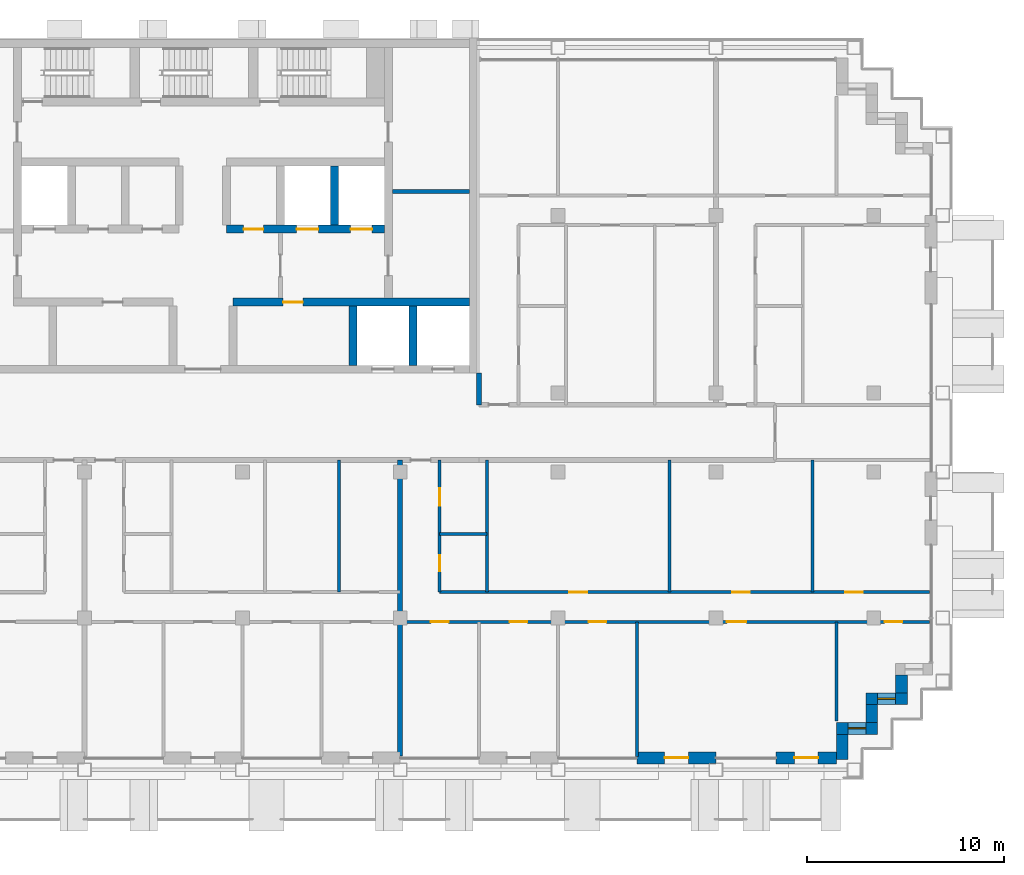
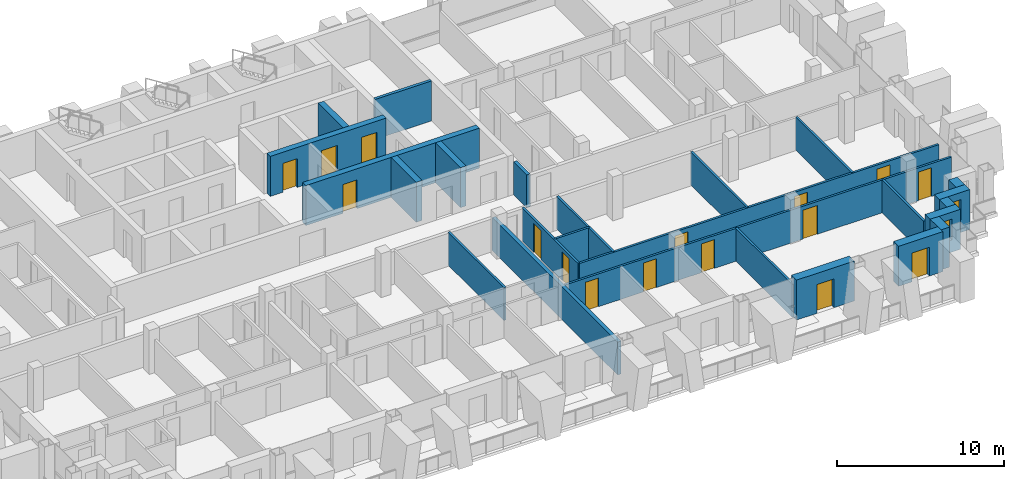
# One storey, part 10 of 16: 25 walls, 16 doors, 2 windows, 18 openings.
"""IFC4 building model written with IfcOpenShell, lengths in metres."""

import ifcopenshell
import ifcopenshell.guid

model = None  # the IFC model being written
_history = None  # IfcOwnerHistory: only IFC2X3 demands one
_inside = {}  # id of a spatial element -> (the spatial element, [elements in it])
_under = {}  # id of a project, library or spatial element -> (it, [spatial elements below it])
_declared = {}  # id of a project -> (the project, [libraries it declares])
_typed = {}  # id of a type object -> (the type object, [elements of that type])
_made_of = {}  # id of a material, layer set ... -> (it, [elements and type objects made of it])


def new_model(schema):
    """Start an empty IFC model of exactly this schema.

    Asked for "IFC4X3", IfcOpenShell would pick the latest addendum, in which some entities
    have other attributes; the version numbers below select the first issue.
    IFC2X3 requires an IfcOwnerHistory on every rooted entity: one is made here for all.
    """
    global model, _history
    if schema == "IFC4X3":
        model = ifcopenshell.file(schema_version=(4, 3, 0, 0))
    else:
        model = ifcopenshell.file(schema=schema)
    _inside.clear()
    _under.clear()
    _declared.clear()
    _typed.clear()
    _made_of.clear()
    _history = None
    if model.schema == "IFC2X3":
        org = make("IfcOrganization", Name="unknown")
        user = make(
            "IfcPersonAndOrganization",
            ThePerson=make("IfcPerson", FamilyName="unknown"),
            TheOrganization=org,
        )
        app = make(
            "IfcApplication",
            ApplicationDeveloper=org,
            Version="unknown",
            ApplicationFullName="unknown",
            ApplicationIdentifier="unknown",
        )
        _history = make(
            "IfcOwnerHistory",
            OwningUser=user,
            OwningApplication=app,
            ChangeAction="ADDED",
            CreationDate=0,
        )
    return model


def make(cls, **values):
    """One entity of the class cls with the attributes given. An attribute that is None is left unset."""
    return model.create_entity(
        cls, **{name: value for name, value in values.items() if value is not None}
    )


def rooted(cls, **values):
    """An entity with a GlobalId (a new one), such as an element, a storey or a relation."""
    return make(cls, GlobalId=ifcopenshell.guid.new(), OwnerHistory=_history, **values)


def si_unit(unit_type, name, prefix=None):
    """IfcSIUnit, for example si_unit("LENGTHUNIT", "METRE", prefix="MILLI")."""
    return make("IfcSIUnit", UnitType=unit_type, Prefix=prefix, Name=name)


def assignment(units):
    """IfcUnitAssignment: the units of a project."""
    return None if units is None else make("IfcUnitAssignment", Units=units)


def point(xyz):
    """IfcCartesianPoint."""
    return None if xyz is None else make("IfcCartesianPoint", Coordinates=xyz)


def direction(xyz):
    """IfcDirection."""
    return None if xyz is None else make("IfcDirection", DirectionRatios=xyz)


def frame(location, z_axis=None, x_axis=None):
    """IfcAxis2Placement3D, a coordinate frame: its origin and axes. An axis left out is left unset."""
    return make(
        "IfcAxis2Placement3D",
        Location=point(location),
        Axis=direction(z_axis),
        RefDirection=direction(x_axis),
    )


def frame_2d(location, x_axis=None):
    """IfcAxis2Placement2D, a coordinate frame in the plane: its origin and x axis."""
    return make(
        "IfcAxis2Placement2D", Location=point(location), RefDirection=direction(x_axis)
    )


def origin():
    """The frame at (0, 0, 0) with its axes left unset."""
    return frame((0.0, 0.0, 0.0))


def place(relative_to, where):
    """IfcLocalPlacement: puts the frame where relative to a parent placement (None: the world)."""
    return make(
        "IfcLocalPlacement", PlacementRelTo=relative_to, RelativePlacement=where
    )


def context(
    kind, dimensions, precision=None, world=None, true_north=None, identifier=None
):
    """IfcGeometricRepresentationContext, for example the 3D "Model" context."""
    return make(
        "IfcGeometricRepresentationContext",
        ContextIdentifier=identifier,
        ContextType=kind,
        CoordinateSpaceDimension=dimensions,
        Precision=precision,
        WorldCoordinateSystem=world,
        TrueNorth=true_north,
    )


def subcontext(parent, identifier, kind, view, scale=None):
    """IfcGeometricRepresentationSubContext, for example "Body" below "Model"."""
    return make(
        "IfcGeometricRepresentationSubContext",
        ContextIdentifier=identifier,
        ContextType=kind,
        ParentContext=parent,
        TargetScale=scale,
        TargetView=view,
    )


def project(units=None, contexts=None):
    """IfcProject with its units and contexts."""
    return rooted(
        "IfcProject",
        Name="project",
        RepresentationContexts=contexts,
        UnitsInContext=assignment(units),
    )


def spatial(cls, under=None, at=None, **own):
    """A site, building, storey or space (cls), placed at a placement, below another one or the project."""
    s = rooted(cls, ObjectPlacement=at, **own)
    if under is not None:
        _under.setdefault(under.id(), (under, []))[1].append(s)
    return s


def profile(cls, at=None, kind="AREA", **sizes):
    """A parametric profile (cls). Its sizes go by their IFC names, for example OverallWidth=200.0."""
    return make(cls, ProfileType=kind, Position=at, **sizes)


def rectangle(**sizes):
    """IfcRectangleProfileDef."""
    return profile("IfcRectangleProfileDef", **sizes)


def extrude(swept, where, along, depth):
    """IfcExtrudedAreaSolid: the profile swept, set in the frame where, extruded along a direction by depth."""
    return make(
        "IfcExtrudedAreaSolid",
        SweptArea=swept,
        Position=where,
        ExtrudedDirection=direction(along),
        Depth=depth,
    )


def shape(context_of_items, identifier, shape_type, items):
    """IfcShapeRepresentation: the items that make up one representation, for example the "Body"."""
    return make(
        "IfcShapeRepresentation",
        ContextOfItems=context_of_items,
        RepresentationIdentifier=identifier,
        RepresentationType=shape_type,
        Items=items,
    )


def material(Name=None, Category=None):
    """IfcMaterial."""
    return make("IfcMaterial", Name=Name, Category=Category)


def layer(
    of_material, thickness, ventilated=None, Name=None, Category=None, Priority=None
):
    """IfcMaterialLayer: one layer of a wall or slab, of a material (None: an air gap)."""
    return make(
        "IfcMaterialLayer",
        Material=of_material,
        LayerThickness=thickness,
        IsVentilated=ventilated,
        Name=Name,
        Category=Category,
        Priority=Priority,
    )


def layer_set(layers, Name=None):
    """IfcMaterialLayerSet."""
    return make("IfcMaterialLayerSet", MaterialLayers=layers, LayerSetName=Name)


def made_of(thing, what):
    """Note that an element or type object is made of a material, layer set ...; save() writes the relation."""
    if what is not None:
        _made_of.setdefault(what.id(), (what, []))[1].append(thing)
    return thing


def type_object(cls, material=None, **own):
    """A type object (cls), such as IfcWallType, which elements share."""
    return made_of(rooted(cls, **own), material)


def element(
    cls,
    number,
    at=None,
    inside=None,
    cuts=None,
    type_object=None,
    material=None,
    context=None,
    identifier="Body",
    shape_type=None,
    held_by="IfcProductDefinitionShape",
    body=None,
    shapes=None,
    **own,
):
    """One element of the class cls, such as IfcWall. Its Tag is "e" and its number.

    at: its placement. inside: the storey or other place that contains it. cuts: it is an
    opening in that element (IfcRelVoidsElement). A single representation is given by context,
    identifier, shape_type and body (its items); several are given by shapes. held_by: the class
    of the entity that holds the representations. save() writes the other relations.
    """
    e = rooted(cls, Tag="e%d" % number, ObjectPlacement=at, **own)
    if body is not None:
        shapes = [shape(context, identifier, shape_type, body)]
    if shapes is not None:
        e.Representation = make(held_by, Representations=shapes)
    if inside is not None:
        _inside.setdefault(inside.id(), (inside, []))[1].append(e)
    if cuts is not None:
        rooted(
            "IfcRelVoidsElement", RelatingBuildingElement=cuts, RelatedOpeningElement=e
        )
    if type_object is not None:
        _typed.setdefault(type_object.id(), (type_object, []))[1].append(e)
    return made_of(e, material)


def fill(opening, filler):
    """IfcRelFillsElement: the door or window that sits in an opening."""
    return rooted(
        "IfcRelFillsElement",
        RelatingOpeningElement=opening,
        RelatedBuildingElement=filler,
    )


def aggregate(whole, parts):
    """IfcRelAggregates: a whole, such as a stair, and the parts it consists of."""
    return rooted("IfcRelAggregates", RelatingObject=whole, RelatedObjects=parts)


def save(model, path):
    """Write the relations noted so far, then the file.

    IfcRelAggregates (storeys below a building ...), IfcRelContainedInSpatialStructure (elements
    in a storey), IfcRelDefinesByType, IfcRelAssociatesMaterial and IfcRelDeclares: one each for
    every whole, place, type object, material and project.
    """
    for whole, parts in _under.values():
        aggregate(whole, parts)
    for where, things in _inside.values():
        rooted(
            "IfcRelContainedInSpatialStructure",
            RelatedElements=things,
            RelatingStructure=where,
        )
    for kind, things in _typed.values():
        rooted("IfcRelDefinesByType", RelatedObjects=things, RelatingType=kind)
    for what, things in _made_of.values():
        rooted("IfcRelAssociatesMaterial", RelatedObjects=things, RelatingMaterial=what)
    for by, libraries in _declared.values():
        rooted("IfcRelDeclares", RelatingContext=by, RelatedDefinitions=libraries)
    model.write(path)


model = new_model("IFC4")

# Units and contexts
model_context = context("Model", 3, precision=1e-05, world=origin(), true_north=direction((0.0, 1.0)))
body_context = subcontext(model_context, "Body", "Model", "MODEL_VIEW")
ifc_project = project(units=[si_unit("LENGTHUNIT", "METRE"), si_unit("AREAUNIT", "SQUARE_METRE"), si_unit("VOLUMEUNIT", "CUBIC_METRE"), si_unit("PLANEANGLEUNIT", "RADIAN"), si_unit("MASSUNIT", "GRAM", prefix="KILO")], contexts=[model_context])

# Site, building, storey
site_placement = place(None, origin())
site = spatial("IfcSite", under=ifc_project, at=site_placement, CompositionType="ELEMENT")
building_placement = place(site_placement, origin())
building = spatial("IfcBuilding", under=site, at=building_placement, Name="Vidyagriha Tower", CompositionType="ELEMENT")
storey_placement = place(building_placement, frame((0.0, 0.0, 165.300048828125)))
storey = spatial("IfcBuildingStorey", under=building, at=storey_placement, Name="L42", CompositionType="ELEMENT", Elevation=165.300048828125)

# Wall, opening, door
ifc_material_1 = material(Name="Precast concrete C40/50 with brick facing", Category="concrete")
ifc_layer_1 = layer(ifc_material_1, 0.60009765625)
ifc_layer_set_1 = layer_set([ifc_layer_1], Name="Precast concrete C40/50 with brick facing")
wall_type_1 = type_object("IfcWallType", Name="Brick-faced precast wall 600", PredefinedType="STANDARD", material=ifc_layer_set_1)
wall_1_placement = place(storey_placement, frame((22.0, -16.5, 0.0)))
wall_1 = element("IfcWall", 1, at=wall_1_placement, inside=storey, type_object=wall_type_1, Name="Brick door bay wall L42 R23.12", PredefinedType="STANDARD", context=body_context, shape_type="SweptSolid", body=[
    extrude(rectangle(XDim=4.0, YDim=0.60009765625, at=frame_2d((2.0, 0.0))), origin(), (0.0, 0.0, 1.0), 2.919921875),
])
opening_1_placement = place(wall_1_placement, frame((1.39990234375, 0.0, 0.0)))
opening_1 = element("IfcOpeningElement", 2, at=opening_1_placement, cuts=wall_1, Name="Opening D42-73", PredefinedType="OPENING", context=body_context, shape_type="SweptSolid", body=[
    extrude(rectangle(XDim=1.199951171875, YDim=2.10009765625, at=frame_2d((0.60009765625, 1.050048828125))), frame((0.0, 0.31005859375, 0.0), z_axis=(0.0, -1.0, 0.0), x_axis=(1.0, 0.0, 0.0)), (0.0, 0.0, 1.0), 0.6201171875),
])
ifc_material_2 = material(Name="Aluminium framed glazed sliding door", Category="aluminium")
door_type_1 = type_object("IfcDoorType", Name="Balcony sliding door 1200x2100", OperationType="NOTDEFINED", PredefinedType="DOOR", material=ifc_material_2)
door_1_placement = place(opening_1_placement, origin())
door_1 = element("IfcDoor", 3, at=door_1_placement, inside=storey, type_object=door_type_1, Name="Door D42-73", OperationType="SLIDING_TO_LEFT", OverallHeight=2.10009765625, OverallWidth=1.199951171875, PredefinedType="DOOR", context=body_context, shape_type="SweptSolid", body=[
    extrude(rectangle(XDim=1.199951171875, YDim=2.10009765625, at=frame_2d((0.60009765625, 1.050048828125))), frame((0.0, 0.02490234375, 0.0), z_axis=(0.0, -1.0, 0.0), x_axis=(1.0, 0.0, 0.0)), (0.0, 0.0, 1.0), 0.050048828125),
])
fill(opening_1, door_1)

wall_2_placement = place(storey_placement, frame((29.050048828125, -16.5, 0.0)))
wall_2 = element("IfcWall", 4, at=wall_2_placement, inside=storey, type_object=wall_type_1, Name="Brick door bay wall L42 R23.14", PredefinedType="STANDARD", context=body_context, shape_type="SweptSolid", body=[
    extrude(rectangle(XDim=3.050048828125, YDim=0.60009765625, at=frame_2d((1.52490234375, 0.0))), origin(), (0.0, 0.0, 1.0), 2.919921875),
])
opening_2_placement = place(wall_2_placement, frame((0.925048828125, 0.0, 0.0)))
opening_2 = element("IfcOpeningElement", 5, at=opening_2_placement, cuts=wall_2, Name="Opening D42-74", PredefinedType="OPENING", context=body_context, shape_type="SweptSolid", body=[
    extrude(rectangle(XDim=1.199951171875, YDim=2.10009765625, at=frame_2d((0.60009765625, 1.050048828125))), frame((0.0, 0.31005859375, 0.0), z_axis=(0.0, -1.0, 0.0), x_axis=(1.0, 0.0, 0.0)), (0.0, 0.0, 1.0), 0.6201171875),
])
door_2_placement = place(opening_2_placement, origin())
door_2 = element("IfcDoor", 6, at=door_2_placement, inside=storey, type_object=door_type_1, Name="Door D42-74", OperationType="SLIDING_TO_LEFT", OverallHeight=2.10009765625, OverallWidth=1.199951171875, PredefinedType="DOOR", context=body_context, shape_type="SweptSolid", body=[
    extrude(rectangle(XDim=1.199951171875, YDim=2.10009765625, at=frame_2d((0.60009765625, 1.050048828125))), frame((0.0, 0.02490234375, 0.0), z_axis=(0.0, -1.0, 0.0), x_axis=(1.0, 0.0, 0.0)), (0.0, 0.0, 1.0), 0.050048828125),
])
fill(opening_2, door_2)

# Wall
wall_3_placement = place(storey_placement, frame((32.39990234375, -16.580078125, 0.0), z_axis=(0.0, 0.0, 1.0), x_axis=(0.0, 1.0, 0.0)))
element("IfcWall", 7, at=wall_3_placement, inside=storey, type_object=wall_type_1, Name="Stepped corner wall L42 R24", PredefinedType="STANDARD", context=body_context, shape_type="SweptSolid", body=[
    extrude(rectangle(XDim=1.280029296875, YDim=0.60009765625, at=frame_2d((0.64013671875, 0.0))), origin(), (0.0, 0.0, 1.0), 2.919921875),
])

# Wall, opening, window
wall_4_placement = place(storey_placement, frame((32.10009765625, -15.0, 0.0)))
wall_4 = element("IfcWall", 8, at=wall_4_placement, inside=storey, type_object=wall_type_1, Name="Stepped corner wall L42 R25", PredefinedType="STANDARD", context=body_context, shape_type="SweptSolid", body=[
    extrude(rectangle(XDim=2.099853515625, YDim=0.60009765625, at=frame_2d((1.0498046875, 0.0))), origin(), (0.0, 0.0, 1.0), 2.919921875),
])
opening_3_placement = place(wall_4_placement, frame((0.60009765625, 0.0, 0.89990234375)))
opening_3 = element("IfcOpeningElement", 9, at=opening_3_placement, cuts=wall_4, Name="Opening WN1", PredefinedType="OPENING", context=body_context, shape_type="SweptSolid", body=[
    extrude(rectangle(XDim=0.89990234375, YDim=1.5, at=frame_2d((0.449951171875, 0.75))), frame((0.0, 0.31005859375, 0.0), z_axis=(0.0, -1.0, 0.0), x_axis=(1.0, 0.0, 0.0)), (0.0, 0.0, 1.0), 0.6201171875),
])
ifc_material_3 = material(Name="Aluminium and glass window", Category="aluminium")
window_type = type_object("IfcWindowType", Name="Reveal window 900x1500", PartitioningType="NOTDEFINED", PredefinedType="WINDOW", material=ifc_material_3)
window_1_placement = place(opening_3_placement, origin())
window_1 = element("IfcWindow", 10, at=window_1_placement, inside=storey, type_object=window_type, Name="Reveal window L42 R25", OverallHeight=1.5, OverallWidth=0.89990234375, PartitioningType="SINGLE_PANEL", PredefinedType="WINDOW", context=body_context, shape_type="SweptSolid", body=[
    extrude(rectangle(XDim=0.89990234375, YDim=1.5, at=frame_2d((0.449951171875, 0.75))), frame((0.0, 0.030029296875, 0.0), z_axis=(0.0, -1.0, 0.0), x_axis=(1.0, 0.0, 0.0)), (0.0, 0.0, 1.0), 0.06005859375),
])
fill(opening_3, window_1)

# Wall
wall_5_placement = place(storey_placement, frame((33.89990234375, -14.699951171875, 0.0), z_axis=(0.0, 0.0, 1.0), x_axis=(0.0, 1.0, 0.0)))
element("IfcWall", 11, at=wall_5_placement, inside=storey, type_object=wall_type_1, Name="Stepped corner wall L42 R26", PredefinedType="STANDARD", context=body_context, shape_type="SweptSolid", body=[
    extrude(rectangle(XDim=0.89990234375, YDim=0.60009765625, at=frame_2d((0.449951171875, 0.0))), origin(), (0.0, 0.0, 1.0), 2.919921875),
])

# Wall, opening, window
wall_6_placement = place(storey_placement, frame((33.60009765625, -13.5, 0.0)))
wall_6 = element("IfcWall", 12, at=wall_6_placement, inside=storey, type_object=wall_type_1, Name="Stepped corner wall L42 R27", PredefinedType="STANDARD", context=body_context, shape_type="SweptSolid", body=[
    extrude(rectangle(XDim=2.099853515625, YDim=0.60009765625, at=frame_2d((1.0498046875, 0.0))), origin(), (0.0, 0.0, 1.0), 2.919921875),
])
opening_4_placement = place(wall_6_placement, frame((0.60009765625, 0.0, 0.89990234375)))
opening_4 = element("IfcOpeningElement", 13, at=opening_4_placement, cuts=wall_6, Name="Opening WN1", PredefinedType="OPENING", context=body_context, shape_type="SweptSolid", body=[
    extrude(rectangle(XDim=0.89990234375, YDim=1.5, at=frame_2d((0.449951171875, 0.75))), frame((0.0, 0.31005859375, 0.0), z_axis=(0.0, -1.0, 0.0), x_axis=(1.0, 0.0, 0.0)), (0.0, 0.0, 1.0), 0.6201171875),
])
window_2_placement = place(opening_4_placement, origin())
window_2 = element("IfcWindow", 14, at=window_2_placement, inside=storey, type_object=window_type, Name="Reveal window L42 R27", OverallHeight=1.5, OverallWidth=0.89990234375, PartitioningType="SINGLE_PANEL", PredefinedType="WINDOW", context=body_context, shape_type="SweptSolid", body=[
    extrude(rectangle(XDim=0.89990234375, YDim=1.5, at=frame_2d((0.449951171875, 0.75))), frame((0.0, 0.030029296875, 0.0), z_axis=(0.0, -1.0, 0.0), x_axis=(1.0, 0.0, 0.0)), (0.0, 0.0, 1.0), 0.06005859375),
])
fill(opening_4, window_2)

# Wall
wall_7_placement = place(storey_placement, frame((35.39990234375, -13.199951171875, 0.0), z_axis=(0.0, 0.0, 1.0), x_axis=(0.0, 1.0, 0.0)))
element("IfcWall", 15, at=wall_7_placement, inside=storey, type_object=wall_type_1, Name="Stepped corner wall L42 R28", PredefinedType="STANDARD", context=body_context, shape_type="SweptSolid", body=[
    extrude(rectangle(XDim=0.89990234375, YDim=0.60009765625, at=frame_2d((0.449951171875, 0.0))), origin(), (0.0, 0.0, 1.0), 2.919921875),
])

# Wall, opening, door
ifc_material_4 = material(Name="Concrete C60/75", Category="concrete")
ifc_layer_2 = layer(ifc_material_4, 0.39990234375)
ifc_layer_set_2 = layer_set([ifc_layer_2], Name="Concrete C60/75")
wall_type_2 = type_object("IfcWallType", Name="Core shear wall 400 mm", PredefinedType="SHEAR", material=ifc_layer_set_2)
wall_8_placement = place(storey_placement, frame((1.522216796875, 6.60009765625, 0.0)))
wall_8 = element("IfcWall", 16, at=wall_8_placement, inside=storey, type_object=wall_type_2, Name="Core lobby south wall east", PredefinedType="SHEAR", context=body_context, shape_type="SweptSolid", body=[
    extrude(rectangle(XDim=11.977783203125, YDim=0.39990234375, at=frame_2d((5.98876953125, 0.0))), origin(), (0.0, 0.0, 1.0), 2.919921875),
])
opening_5_placement = place(wall_8_placement, frame((2.54443359375, 0.0, 0.0)))
opening_5 = element("IfcOpeningElement", 17, at=opening_5_placement, cuts=wall_8, Name="Opening D42-03", PredefinedType="OPENING", context=body_context, shape_type="SweptSolid", body=[
    extrude(rectangle(XDim=1.0, YDim=2.10009765625, at=frame_2d((0.5, 1.050048828125))), frame((0.0, 0.2099609375, 0.0), z_axis=(0.0, -1.0, 0.0), x_axis=(1.0, 0.0, 0.0)), (0.0, 0.0, 1.0), 0.419921875),
])
ifc_material_5 = material(Name="Hollow metal door leaf")
door_type_2 = type_object("IfcDoorType", Name="Core room door 1000 x 2100 mm EI 60", OperationType="NOTDEFINED", PredefinedType="DOOR", material=ifc_material_5)
door_3_placement = place(opening_5_placement, origin())
door_3 = element("IfcDoor", 18, at=door_3_placement, inside=storey, type_object=door_type_2, Name="Door Electrical Room 42.02", OperationType="SINGLE_SWING_RIGHT", OverallHeight=2.10009765625, OverallWidth=1.0, PredefinedType="DOOR", context=body_context, shape_type="SweptSolid", body=[
    extrude(rectangle(XDim=1.0, YDim=2.10009765625, at=frame_2d((0.5, 1.050048828125))), frame((0.0, 0.02490234375, 0.0), z_axis=(0.0, -1.0, 0.0), x_axis=(1.0, 0.0, 0.0)), (0.0, 0.0, 1.0), 0.050048828125),
])
fill(opening_5, door_3)

# Walls
for number, where, z_axis, x_axis, name in (
    (19, (7.611083984375, 3.39990234375, 0.0), (0.0, 0.0, 1.0), (0.0, 1.0, 0.0), "Core bay wall S7"),
    (20, (10.655517578125, 3.39990234375, 0.0), (0.0, 0.0, 1.0), (0.0, 1.0, 0.0), "Core bay wall S8"),
):
    element("IfcWall", number, at=place(storey_placement, frame(where, z_axis=z_axis, x_axis=x_axis)), inside=storey, type_object=wall_type_2, Name=name, PredefinedType="SHEAR", context=body_context, shape_type="SweptSolid", body=[
        extrude(rectangle(XDim=3.0, YDim=0.39990234375, at=frame_2d((1.5, 0.0))), origin(), (0.0, 0.0, 1.0), 2.919921875),
    ])

# Wall, openings, doors
wall_9_placement = place(storey_placement, frame((1.199951171875, 10.300048828125, 0.0)))
wall_9 = element("IfcWall", 21, at=wall_9_placement, inside=storey, type_object=wall_type_2, Name="Core row N front wall", PredefinedType="SHEAR", context=body_context, shape_type="SweptSolid", body=[
    extrude(rectangle(XDim=8.0, YDim=0.39990234375, at=frame_2d((4.0, 0.0))), origin(), (0.0, 0.0, 1.0), 2.919921875),
])
opening_6_placement = place(wall_9_placement, frame((3.550048828125, 0.0, 0.0)))
opening_6 = element("IfcOpeningElement", 22, at=opening_6_placement, cuts=wall_9, Name="Opening LD42-04", PredefinedType="OPENING", context=body_context, shape_type="SweptSolid", body=[
    extrude(rectangle(XDim=1.10009765625, YDim=2.10009765625, at=frame_2d((0.550048828125, 1.050048828125))), frame((0.0, 0.2099609375, 0.0), z_axis=(0.0, -1.0, 0.0), x_axis=(1.0, 0.0, 0.0)), (0.0, 0.0, 1.0), 0.419921875),
])
opening_7_placement = place(wall_9_placement, frame((6.283203125, 0.0, 0.0)))
opening_7 = element("IfcOpeningElement", 23, at=opening_7_placement, cuts=wall_9, Name="Opening LD42-05", PredefinedType="OPENING", context=body_context, shape_type="SweptSolid", body=[
    extrude(rectangle(XDim=1.10009765625, YDim=2.10009765625, at=frame_2d((0.550048828125, 1.050048828125))), frame((0.0, 0.2099609375, 0.0), z_axis=(0.0, -1.0, 0.0), x_axis=(1.0, 0.0, 0.0)), (0.0, 0.0, 1.0), 0.419921875),
])
opening_8_placement = place(wall_9_placement, frame((0.86669921875, 0.0, 0.0)))
opening_8 = element("IfcOpeningElement", 24, at=opening_8_placement, cuts=wall_9, Name="Opening D42-06", PredefinedType="OPENING", context=body_context, shape_type="SweptSolid", body=[
    extrude(rectangle(XDim=1.0, YDim=2.10009765625, at=frame_2d((0.5, 1.050048828125))), frame((0.0, 0.2099609375, 0.0), z_axis=(0.0, -1.0, 0.0), x_axis=(1.0, 0.0, 0.0)), (0.0, 0.0, 1.0), 0.419921875),
])
door_4_placement = place(opening_8_placement, frame((1.0, 0.0, 0.0), z_axis=(0.0, 0.0, 1.0), x_axis=(-1.0, 0.0, 0.0)))
door_4 = element("IfcDoor", 25, at=door_4_placement, inside=storey, type_object=door_type_2, Name="Door Electrical Room 42.16", OperationType="SINGLE_SWING_LEFT", OverallHeight=2.10009765625, OverallWidth=1.0, PredefinedType="DOOR", context=body_context, shape_type="SweptSolid", body=[
    extrude(rectangle(XDim=1.0, YDim=2.10009765625, at=frame_2d((0.5, 1.050048828125))), frame((0.0, 0.02490234375, 0.0), z_axis=(0.0, -1.0, 0.0), x_axis=(1.0, 0.0, 0.0)), (0.0, 0.0, 1.0), 0.050048828125),
])
fill(opening_8, door_4)
ifc_material_6 = material(Name="Stainless steel sliding door panel", Category="steel")
door_type_3 = type_object("IfcDoorType", Name="Lift landing door 1100 x 2100 mm EI 90", OperationType="NOTDEFINED", PredefinedType="DOOR", material=ifc_material_6)
door_5_placement = place(opening_6_placement, origin())
door_5 = element("IfcDoor", 26, at=door_5_placement, inside=storey, type_object=door_type_3, Name="Landing door FF1 L42", OperationType="SLIDING_TO_LEFT", OverallHeight=2.10009765625, OverallWidth=1.10009765625, PredefinedType="DOOR", context=body_context, shape_type="SweptSolid", body=[
    extrude(rectangle(XDim=1.10009765625, YDim=2.10009765625, at=frame_2d((0.550048828125, 1.050048828125))), frame((0.0, 0.02490234375, 0.0), z_axis=(0.0, -1.0, 0.0), x_axis=(1.0, 0.0, 0.0)), (0.0, 0.0, 1.0), 0.050048828125),
])
fill(opening_6, door_5)
door_6_placement = place(opening_7_placement, origin())
door_6 = element("IfcDoor", 27, at=door_6_placement, inside=storey, type_object=door_type_3, Name="Landing door FF2 L42", OperationType="SLIDING_TO_LEFT", OverallHeight=2.10009765625, OverallWidth=1.10009765625, PredefinedType="DOOR", context=body_context, shape_type="SweptSolid", body=[
    extrude(rectangle(XDim=1.10009765625, YDim=2.10009765625, at=frame_2d((0.550048828125, 1.050048828125))), frame((0.0, 0.02490234375, 0.0), z_axis=(0.0, -1.0, 0.0), x_axis=(1.0, 0.0, 0.0)), (0.0, 0.0, 1.0), 0.050048828125),
])
fill(opening_7, door_6)

# Walls
wall_10_placement = place(storey_placement, frame((6.666748046875, 10.5, 0.0), z_axis=(0.0, 0.0, 1.0), x_axis=(0.0, 1.0, 0.0)))
element("IfcWall", 28, at=wall_10_placement, inside=storey, type_object=wall_type_2, Name="Core bay wall N6", PredefinedType="SHEAR", context=body_context, shape_type="SweptSolid", body=[
    extrude(rectangle(XDim=3.0, YDim=0.39990234375, at=frame_2d((1.5, 0.0))), origin(), (0.0, 0.0, 1.0), 2.919921875),
])
ifc_material_7 = material(Name="Fired clay brick masonry", Category="masonry")
ifc_layer_3 = layer(ifc_material_7, 0.25)
ifc_layer_set_3 = layer_set([ifc_layer_3], Name="Fired clay brick masonry")
wall_type_3 = type_object("IfcWallType", Name="Fired clay brick corridor wall 250", PredefinedType="PARTITIONING", material=ifc_layer_set_3)
wall_11_placement = place(storey_placement, frame((14.0, 1.39990234375, 0.0), z_axis=(0.0, 0.0, 1.0), x_axis=(0.0, 1.0, 0.0)))
element("IfcWall", 29, at=wall_11_placement, inside=storey, type_object=wall_type_3, Name="Wall all-L42-w115", PredefinedType="PARTITIONING", context=body_context, shape_type="SweptSolid", body=[
    extrude(rectangle(XDim=1.60009765625, YDim=0.25, at=frame_2d((0.800048828125, 0.0))), origin(), (0.0, 0.0, 1.0), 2.39990234375),
])
ifc_material_8 = material(Name="Fired clay brick masonry", Category="masonry")
ifc_layer_4 = layer(ifc_material_8, 0.25)
ifc_layer_set_4 = layer_set([ifc_layer_4], Name="Fired clay brick masonry")
wall_type_4 = type_object("IfcWallType", Name="Fired clay brick demising wall 250", PredefinedType="PARTITIONING", material=ifc_layer_set_4)
wall_12_placement = place(storey_placement, frame((10.0, -1.39990234375, 0.0), z_axis=(0.0, 0.0, 1.0), x_axis=(0.0, -1.0, 0.0)))
element("IfcWall", 30, at=wall_12_placement, inside=storey, type_object=wall_type_4, Name="Wall all-L42-w065", PredefinedType="PARTITIONING", context=body_context, shape_type="SweptSolid", body=[
    extrude(rectangle(XDim=15.010009765625, YDim=0.25, at=frame_2d((7.5048828125, 0.0))), origin(), (0.0, 0.0, 1.0), 2.39990234375),
])
ifc_material_9 = material(Name="Gypsum board partition")
ifc_layer_5 = layer(ifc_material_9, 0.14990234375)
ifc_layer_set_5 = layer_set([ifc_layer_5], Name="Gypsum board partition")
wall_type_5 = type_object("IfcWallType", Name="Gypsum board partition 150", PredefinedType="PARTITIONING", material=ifc_layer_set_5)
wall_13_placement = place(storey_placement, frame((6.89990234375, -1.39990234375, 0.0), z_axis=(0.0, 0.0, 1.0), x_axis=(0.0, -1.0, 0.0)))
element("IfcWall", 31, at=wall_13_placement, inside=storey, type_object=wall_type_5, Name="Wall all-L42-w028", PredefinedType="PARTITIONING", context=body_context, shape_type="SweptSolid", body=[
    extrude(rectangle(XDim=6.7001953125, YDim=0.14990234375, at=frame_2d((3.35009765625, 0.0))), origin(), (0.0, 0.0, 1.0), 2.39990234375),
])
wall_14_placement = place(storey_placement, frame((14.39990234375, -5.14990234375, 0.0), z_axis=(0.0, 0.0, 1.0), x_axis=(-1.0, 0.0, 0.0)))
element("IfcWall", 32, at=wall_14_placement, inside=storey, type_object=wall_type_5, Name="Wall all-L42-w046", PredefinedType="PARTITIONING", context=body_context, shape_type="SweptSolid", body=[
    extrude(rectangle(XDim=2.39990234375, YDim=0.14990234375, at=frame_2d((1.199951171875, 0.0))), origin(), (0.0, 0.0, 1.0), 2.39990234375),
])
for number, where, z_axis, x_axis, name in (
    (33, (14.39990234375, -1.39990234375, 0.0), (0.0, 0.0, 1.0), (0.0, -1.0, 0.0), "Wall all-L42-w047"),
    (34, (23.64990234375, -1.39990234375, 0.0), (0.0, 0.0, 1.0), (0.0, -1.0, 0.0), "Wall all-L42-w048"),
    (35, (30.89990234375, -1.39990234375, 0.0), (0.0, 0.0, 1.0), (0.0, -1.0, 0.0), "Wall all-L42-w049"),
):
    element("IfcWall", number, at=place(storey_placement, frame(where, z_axis=z_axis, x_axis=x_axis)), inside=storey, type_object=wall_type_5, Name=name, PredefinedType="PARTITIONING", context=body_context, shape_type="SweptSolid", body=[
        extrude(rectangle(XDim=6.7001953125, YDim=0.14990234375, at=frame_2d((3.35009765625, 0.0))), origin(), (0.0, 0.0, 1.0), 2.39990234375),
    ])

# Wall, openings, doors
wall_15_placement = place(storey_placement, frame((12.0, -8.10009765625, 0.0)))
wall_15 = element("IfcWall", 36, at=wall_15_placement, inside=storey, type_object=wall_type_5, Name="Wall all-L42-w050", PredefinedType="PARTITIONING", context=body_context, shape_type="SweptSolid", body=[
    extrude(rectangle(XDim=24.820068359375, YDim=0.14990234375, at=frame_2d((12.41015625, 0.0))), origin(), (0.0, 0.0, 1.0), 2.39990234375),
])
opening_9_placement = place(wall_15_placement, frame((6.574951171875, 0.0, 0.0)))
opening_9 = element("IfcOpeningElement", 37, at=opening_9_placement, cuts=wall_15, Name="Opening D42-37", PredefinedType="OPENING", context=body_context, shape_type="SweptSolid", body=[
    extrude(rectangle(XDim=0.89990234375, YDim=2.10009765625, at=frame_2d((0.449951171875, 1.050048828125))), frame((0.0, 0.0849609375, 0.0), z_axis=(0.0, -1.0, 0.0), x_axis=(1.0, 0.0, 0.0)), (0.0, 0.0, 1.0), 0.169921875),
])
opening_10_placement = place(wall_15_placement, frame((14.824951171875, 0.0, 0.0)))
opening_10 = element("IfcOpeningElement", 38, at=opening_10_placement, cuts=wall_15, Name="Opening D42-38", PredefinedType="OPENING", context=body_context, shape_type="SweptSolid", body=[
    extrude(rectangle(XDim=0.89990234375, YDim=2.10009765625, at=frame_2d((0.449951171875, 1.050048828125))), frame((0.0, 0.0849609375, 0.0), z_axis=(0.0, -1.0, 0.0), x_axis=(1.0, 0.0, 0.0)), (0.0, 0.0, 1.0), 0.169921875),
])
opening_11_placement = place(wall_15_placement, frame((20.552978515625, 0.0, 0.0)))
opening_11 = element("IfcOpeningElement", 39, at=opening_11_placement, cuts=wall_15, Name="Opening D42-39", PredefinedType="OPENING", context=body_context, shape_type="SweptSolid", body=[
    extrude(rectangle(XDim=0.89990234375, YDim=2.10009765625, at=frame_2d((0.449951171875, 1.050048828125))), frame((0.0, 0.0849609375, 0.0), z_axis=(0.0, -1.0, 0.0), x_axis=(1.0, 0.0, 0.0)), (0.0, 0.0, 1.0), 0.169921875),
])
ifc_material_10 = material(Name="Timber door leaf", Category="wood")
door_type_4 = type_object("IfcDoorType", Name="Room door 900x2100", OperationType="NOTDEFINED", PredefinedType="DOOR", material=ifc_material_10)
door_7_placement = place(opening_9_placement, origin())
door_7 = element("IfcDoor", 40, at=door_7_placement, inside=storey, type_object=door_type_4, Name="Door D42-37", OperationType="SINGLE_SWING_LEFT", OverallHeight=2.10009765625, OverallWidth=0.89990234375, PredefinedType="DOOR", context=body_context, shape_type="SweptSolid", body=[
    extrude(rectangle(XDim=0.89990234375, YDim=2.10009765625, at=frame_2d((0.449951171875, 1.050048828125))), frame((0.0, 0.02490234375, 0.0), z_axis=(0.0, -1.0, 0.0), x_axis=(1.0, 0.0, 0.0)), (0.0, 0.0, 1.0), 0.050048828125),
])
fill(opening_9, door_7)
door_8_placement = place(opening_10_placement, origin())
door_8 = element("IfcDoor", 41, at=door_8_placement, inside=storey, type_object=door_type_4, Name="Door D42-38", OperationType="SINGLE_SWING_RIGHT", OverallHeight=2.10009765625, OverallWidth=0.89990234375, PredefinedType="DOOR", context=body_context, shape_type="SweptSolid", body=[
    extrude(rectangle(XDim=0.89990234375, YDim=2.10009765625, at=frame_2d((0.449951171875, 1.050048828125))), frame((0.0, 0.02490234375, 0.0), z_axis=(0.0, -1.0, 0.0), x_axis=(1.0, 0.0, 0.0)), (0.0, 0.0, 1.0), 0.050048828125),
])
fill(opening_10, door_8)
door_9_placement = place(opening_11_placement, origin())
door_9 = element("IfcDoor", 42, at=door_9_placement, inside=storey, type_object=door_type_4, Name="Door D42-39", OperationType="SINGLE_SWING_LEFT", OverallHeight=2.10009765625, OverallWidth=0.89990234375, PredefinedType="DOOR", context=body_context, shape_type="SweptSolid", body=[
    extrude(rectangle(XDim=0.89990234375, YDim=2.10009765625, at=frame_2d((0.449951171875, 1.050048828125))), frame((0.0, 0.02490234375, 0.0), z_axis=(0.0, -1.0, 0.0), x_axis=(1.0, 0.0, 0.0)), (0.0, 0.0, 1.0), 0.050048828125),
])
fill(opening_11, door_9)

wall_16_placement = place(storey_placement, frame((36.820068359375, -9.60009765625, 0.0), z_axis=(0.0, 0.0, 1.0), x_axis=(-1.0, 0.0, 0.0)))
wall_16 = element("IfcWall", 43, at=wall_16_placement, inside=storey, type_object=wall_type_5, Name="Wall all-L42-w054", PredefinedType="PARTITIONING", context=body_context, shape_type="SweptSolid", body=[
    extrude(rectangle(XDim=26.820068359375, YDim=0.14990234375, at=frame_2d((13.41015625, 0.0))), origin(), (0.0, 0.0, 1.0), 2.39990234375),
])
opening_12_placement = place(wall_16_placement, frame((24.3701171875, 0.0, 0.0)))
opening_12 = element("IfcOpeningElement", 44, at=opening_12_placement, cuts=wall_16, Name="Opening D42-40", PredefinedType="OPENING", context=body_context, shape_type="SweptSolid", body=[
    extrude(rectangle(XDim=0.89990234375, YDim=2.10009765625, at=frame_2d((0.449951171875, 1.050048828125))), frame((0.0, 0.0849609375, 0.0), z_axis=(0.0, -1.0, 0.0), x_axis=(1.0, 0.0, 0.0)), (0.0, 0.0, 1.0), 0.169921875),
])
opening_13_placement = place(wall_16_placement, frame((20.3701171875, 0.0, 0.0)))
opening_13 = element("IfcOpeningElement", 45, at=opening_13_placement, cuts=wall_16, Name="Opening D42-41", PredefinedType="OPENING", context=body_context, shape_type="SweptSolid", body=[
    extrude(rectangle(XDim=0.89990234375, YDim=2.10009765625, at=frame_2d((0.449951171875, 1.050048828125))), frame((0.0, 0.0849609375, 0.0), z_axis=(0.0, -1.0, 0.0), x_axis=(1.0, 0.0, 0.0)), (0.0, 0.0, 1.0), 0.169921875),
])
opening_14_placement = place(wall_16_placement, frame((16.3701171875, 0.0, 0.0)))
opening_14 = element("IfcOpeningElement", 46, at=opening_14_placement, cuts=wall_16, Name="Opening D42-42", PredefinedType="OPENING", context=body_context, shape_type="SweptSolid", body=[
    extrude(rectangle(XDim=0.89990234375, YDim=2.10009765625, at=frame_2d((0.449951171875, 1.050048828125))), frame((0.0, 0.0849609375, 0.0), z_axis=(0.0, -1.0, 0.0), x_axis=(1.0, 0.0, 0.0)), (0.0, 0.0, 1.0), 0.169921875),
])
opening_15_placement = place(wall_16_placement, frame((9.27001953125, 0.0, 0.0)))
opening_15 = element("IfcOpeningElement", 47, at=opening_15_placement, cuts=wall_16, Name="Opening D42-43", PredefinedType="OPENING", context=body_context, shape_type="SweptSolid", body=[
    extrude(rectangle(XDim=1.0, YDim=2.10009765625, at=frame_2d((0.5, 1.050048828125))), frame((0.0, 0.0849609375, 0.0), z_axis=(0.0, -1.0, 0.0), x_axis=(1.0, 0.0, 0.0)), (0.0, 0.0, 1.0), 0.169921875),
])
opening_16_placement = place(wall_16_placement, frame((1.373046875, 0.0, 0.0)))
opening_16 = element("IfcOpeningElement", 48, at=opening_16_placement, cuts=wall_16, Name="Opening D42-44", PredefinedType="OPENING", context=body_context, shape_type="SweptSolid", body=[
    extrude(rectangle(XDim=0.89990234375, YDim=2.10009765625, at=frame_2d((0.449951171875, 1.050048828125))), frame((0.0, 0.0849609375, 0.0), z_axis=(0.0, -1.0, 0.0), x_axis=(1.0, 0.0, 0.0)), (0.0, 0.0, 1.0), 0.169921875),
])
ifc_material_11 = material(Name="Timber door leaf", Category="wood")
door_type_5 = type_object("IfcDoorType", Name="Room door 1000x2100", OperationType="NOTDEFINED", PredefinedType="DOOR", material=ifc_material_11)
door_10_placement = place(opening_15_placement, origin())
door_10 = element("IfcDoor", 49, at=door_10_placement, inside=storey, type_object=door_type_5, Name="Door D42-43", OperationType="SINGLE_SWING_RIGHT", OverallHeight=2.10009765625, OverallWidth=1.0, PredefinedType="DOOR", context=body_context, shape_type="SweptSolid", body=[
    extrude(rectangle(XDim=1.0, YDim=2.10009765625, at=frame_2d((0.5, 1.050048828125))), frame((0.0, 0.02490234375, 0.0), z_axis=(0.0, -1.0, 0.0), x_axis=(1.0, 0.0, 0.0)), (0.0, 0.0, 1.0), 0.050048828125),
])
fill(opening_15, door_10)
door_11_placement = place(opening_12_placement, origin())
door_11 = element("IfcDoor", 50, at=door_11_placement, inside=storey, type_object=door_type_4, Name="Door D42-40", OperationType="SINGLE_SWING_RIGHT", OverallHeight=2.10009765625, OverallWidth=0.89990234375, PredefinedType="DOOR", context=body_context, shape_type="SweptSolid", body=[
    extrude(rectangle(XDim=0.89990234375, YDim=2.10009765625, at=frame_2d((0.449951171875, 1.050048828125))), frame((0.0, 0.02490234375, 0.0), z_axis=(0.0, -1.0, 0.0), x_axis=(1.0, 0.0, 0.0)), (0.0, 0.0, 1.0), 0.050048828125),
])
fill(opening_12, door_11)
door_12_placement = place(opening_13_placement, origin())
door_12 = element("IfcDoor", 51, at=door_12_placement, inside=storey, type_object=door_type_4, Name="Door D42-41", OperationType="SINGLE_SWING_RIGHT", OverallHeight=2.10009765625, OverallWidth=0.89990234375, PredefinedType="DOOR", context=body_context, shape_type="SweptSolid", body=[
    extrude(rectangle(XDim=0.89990234375, YDim=2.10009765625, at=frame_2d((0.449951171875, 1.050048828125))), frame((0.0, 0.02490234375, 0.0), z_axis=(0.0, -1.0, 0.0), x_axis=(1.0, 0.0, 0.0)), (0.0, 0.0, 1.0), 0.050048828125),
])
fill(opening_13, door_12)
door_13_placement = place(opening_14_placement, origin())
door_13 = element("IfcDoor", 52, at=door_13_placement, inside=storey, type_object=door_type_4, Name="Door D42-42", OperationType="SINGLE_SWING_RIGHT", OverallHeight=2.10009765625, OverallWidth=0.89990234375, PredefinedType="DOOR", context=body_context, shape_type="SweptSolid", body=[
    extrude(rectangle(XDim=0.89990234375, YDim=2.10009765625, at=frame_2d((0.449951171875, 1.050048828125))), frame((0.0, 0.02490234375, 0.0), z_axis=(0.0, -1.0, 0.0), x_axis=(1.0, 0.0, 0.0)), (0.0, 0.0, 1.0), 0.050048828125),
])
fill(opening_14, door_13)
door_14_placement = place(opening_16_placement, origin())
door_14 = element("IfcDoor", 53, at=door_14_placement, inside=storey, type_object=door_type_4, Name="Door D42-44", OperationType="SINGLE_SWING_LEFT", OverallHeight=2.10009765625, OverallWidth=0.89990234375, PredefinedType="DOOR", context=body_context, shape_type="SweptSolid", body=[
    extrude(rectangle(XDim=0.89990234375, YDim=2.10009765625, at=frame_2d((0.449951171875, 1.050048828125))), frame((0.0, 0.02490234375, 0.0), z_axis=(0.0, -1.0, 0.0), x_axis=(1.0, 0.0, 0.0)), (0.0, 0.0, 1.0), 0.050048828125),
])
fill(opening_16, door_14)

# Walls
wall_17_placement = place(storey_placement, frame((22.0, -9.60009765625, 0.0), z_axis=(0.0, 0.0, 1.0), x_axis=(0.0, -1.0, 0.0)))
element("IfcWall", 54, at=wall_17_placement, inside=storey, type_object=wall_type_5, Name="Wall all-L42-w062", PredefinedType="PARTITIONING", context=body_context, shape_type="SweptSolid", body=[
    extrude(rectangle(XDim=6.82080078125, YDim=0.14990234375, at=frame_2d((3.410400390625, 0.0))), origin(), (0.0, 0.0, 1.0), 2.39990234375),
])
wall_18_placement = place(storey_placement, frame((32.10009765625, -9.60009765625, 0.0), z_axis=(0.0, 0.0, 1.0), x_axis=(0.0, -1.0, 0.0)))
element("IfcWall", 55, at=wall_18_placement, inside=storey, type_object=wall_type_5, Name="Wall all-L42-w063", PredefinedType="PARTITIONING", context=body_context, shape_type="SweptSolid", body=[
    extrude(rectangle(XDim=5.02001953125, YDim=0.14990234375, at=frame_2d((2.510009765625, 0.0))), origin(), (0.0, 0.0, 1.0), 2.39990234375),
])

# Wall, openings, doors
ifc_material_12 = material(Name="Moisture resistant gypsum board partition")
ifc_layer_6 = layer(ifc_material_12, 0.14990234375)
ifc_layer_set_6 = layer_set([ifc_layer_6], Name="Moisture resistant gypsum board partition")
wall_type_6 = type_object("IfcWallType", Name="Gypsum board wet-area partition 150", PredefinedType="PARTITIONING", material=ifc_layer_set_6)
wall_19_placement = place(storey_placement, frame((12.0, -1.39990234375, 0.0), z_axis=(0.0, 0.0, 1.0), x_axis=(0.0, -1.0, 0.0)))
wall_19 = element("IfcWall", 56, at=wall_19_placement, inside=storey, type_object=wall_type_6, Name="Wall all-L42-w043", PredefinedType="PARTITIONING", context=body_context, shape_type="SweptSolid", body=[
    extrude(rectangle(XDim=6.7001953125, YDim=0.14990234375, at=frame_2d((3.35009765625, 0.0))), origin(), (0.0, 0.0, 1.0), 2.39990234375),
])
opening_17_placement = place(wall_19_placement, frame((1.425048828125, 0.0, 0.0)))
opening_17 = element("IfcOpeningElement", 57, at=opening_17_placement, cuts=wall_19, Name="Opening D42-35", PredefinedType="OPENING", context=body_context, shape_type="SweptSolid", body=[
    extrude(rectangle(XDim=0.89990234375, YDim=2.10009765625, at=frame_2d((0.449951171875, 1.050048828125))), frame((0.0, 0.0849609375, 0.0), z_axis=(0.0, -1.0, 0.0), x_axis=(1.0, 0.0, 0.0)), (0.0, 0.0, 1.0), 0.169921875),
])
opening_18_placement = place(wall_19_placement, frame((4.824951171875, 0.0, 0.0)))
opening_18 = element("IfcOpeningElement", 58, at=opening_18_placement, cuts=wall_19, Name="Opening D42-36", PredefinedType="OPENING", context=body_context, shape_type="SweptSolid", body=[
    extrude(rectangle(XDim=0.800048828125, YDim=2.10009765625, at=frame_2d((0.39990234375, 1.050048828125))), frame((0.0, 0.0849609375, 0.0), z_axis=(0.0, -1.0, 0.0), x_axis=(1.0, 0.0, 0.0)), (0.0, 0.0, 1.0), 0.169921875),
])
ifc_material_13 = material(Name="Timber door leaf", Category="wood")
door_type_6 = type_object("IfcDoorType", Name="Bathroom door 800x2100", OperationType="NOTDEFINED", PredefinedType="DOOR", material=ifc_material_13)
door_15_placement = place(opening_18_placement, origin())
door_15 = element("IfcDoor", 59, at=door_15_placement, inside=storey, type_object=door_type_6, Name="Door D42-36", OperationType="SINGLE_SWING_RIGHT", OverallHeight=2.10009765625, OverallWidth=0.800048828125, PredefinedType="DOOR", context=body_context, shape_type="SweptSolid", body=[
    extrude(rectangle(XDim=0.800048828125, YDim=2.10009765625, at=frame_2d((0.39990234375, 1.050048828125))), frame((0.0, 0.02490234375, 0.0), z_axis=(0.0, -1.0, 0.0), x_axis=(1.0, 0.0, 0.0)), (0.0, 0.0, 1.0), 0.050048828125),
])
fill(opening_18, door_15)
ifc_material_14 = material(Name="Timber door leaf", Category="wood")
door_type_7 = type_object("IfcDoorType", Name="Kitchen door 900x2100", OperationType="NOTDEFINED", PredefinedType="DOOR", material=ifc_material_14)
door_16_placement = place(opening_17_placement, origin())
door_16 = element("IfcDoor", 60, at=door_16_placement, inside=storey, type_object=door_type_7, Name="Door D42-35", OperationType="SINGLE_SWING_LEFT", OverallHeight=2.10009765625, OverallWidth=0.89990234375, PredefinedType="DOOR", context=body_context, shape_type="SweptSolid", body=[
    extrude(rectangle(XDim=0.89990234375, YDim=2.10009765625, at=frame_2d((0.449951171875, 1.050048828125))), frame((0.0, 0.02490234375, 0.0), z_axis=(0.0, -1.0, 0.0), x_axis=(1.0, 0.0, 0.0)), (0.0, 0.0, 1.0), 0.050048828125),
])
fill(opening_17, door_16)

# Wall
ifc_material_15 = material(Name="Blockwork 15 MPa", Category="masonry")
ifc_layer_7 = layer(ifc_material_15, 0.199951171875)
ifc_layer_set_7 = layer_set([ifc_layer_7], Name="Blockwork 15 MPa")
wall_type_7 = type_object("IfcWallType", Name="Service room partition 200 mm", PredefinedType="PARTITIONING", material=ifc_layer_set_7)
wall_20_placement = place(storey_placement, frame((9.60009765625, 12.199951171875, 0.0)))
element("IfcWall", 61, at=wall_20_placement, inside=storey, type_object=wall_type_7, Name="Core room partition E1", PredefinedType="PARTITIONING", context=body_context, shape_type="SweptSolid", body=[
    extrude(rectangle(XDim=3.89990234375, YDim=0.199951171875, at=frame_2d((1.949951171875, 0.0))), origin(), (0.0, 0.0, 1.0), 2.919921875),
])

save(model, "model.ifc")
